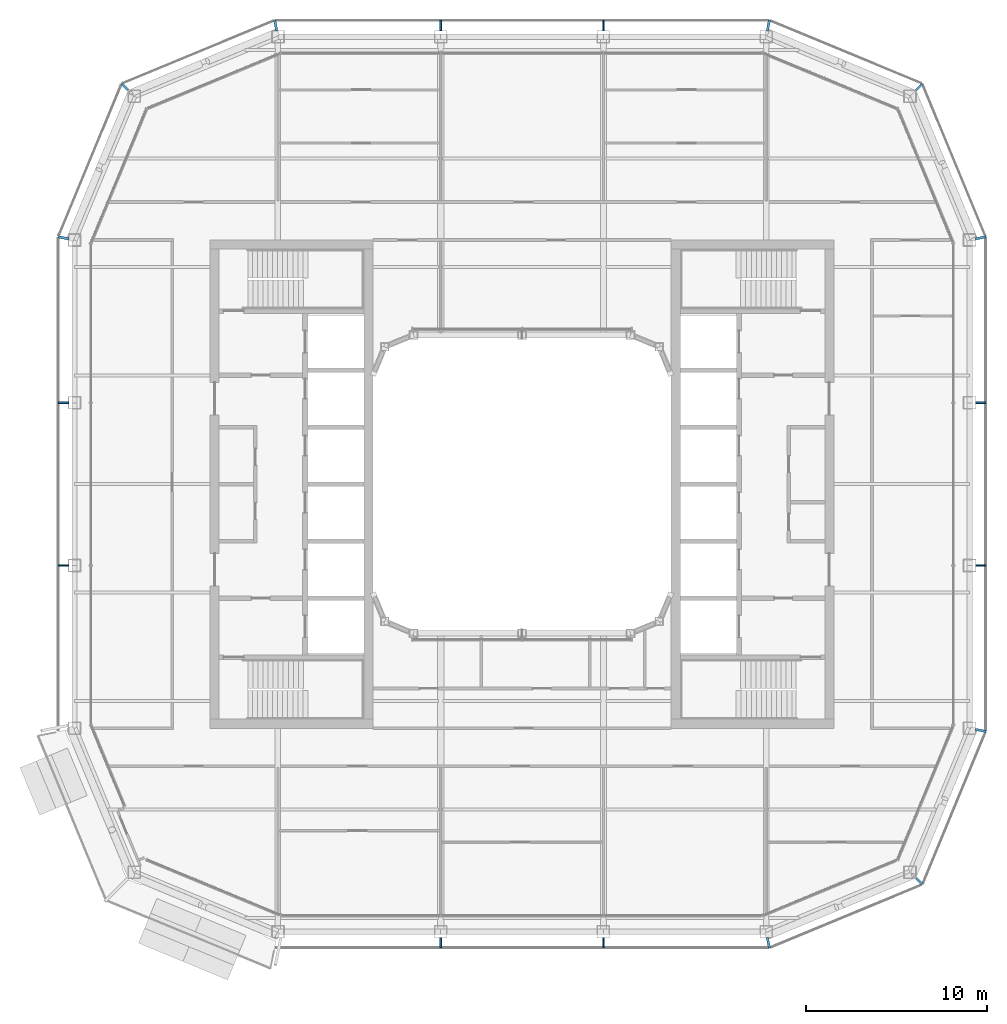
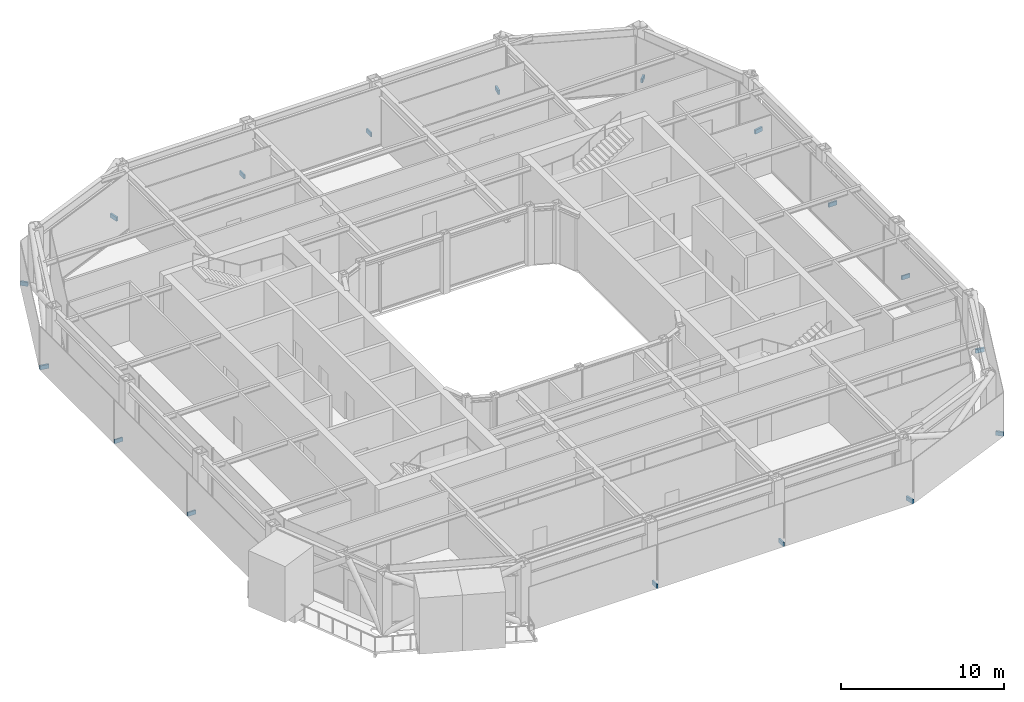
# One storey, part 16 of 21: 17 discrete accessories.
"""IFC4 building model written with IfcOpenShell, lengths in metres."""

import ifcopenshell
import ifcopenshell.guid

model = None  # the IFC model being written
_history = None  # IfcOwnerHistory: only IFC2X3 demands one
_inside = {}  # id of a spatial element -> (the spatial element, [elements in it])
_under = {}  # id of a project, library or spatial element -> (it, [spatial elements below it])
_declared = {}  # id of a project -> (the project, [libraries it declares])
_typed = {}  # id of a type object -> (the type object, [elements of that type])
_made_of = {}  # id of a material, layer set ... -> (it, [elements and type objects made of it])


def new_model(schema):
    """Start an empty IFC model of exactly this schema.

    Asked for "IFC4X3", IfcOpenShell would pick the latest addendum, in which some entities
    have other attributes; the version numbers below select the first issue.
    IFC2X3 requires an IfcOwnerHistory on every rooted entity: one is made here for all.
    """
    global model, _history
    if schema == "IFC4X3":
        model = ifcopenshell.file(schema_version=(4, 3, 0, 0))
    else:
        model = ifcopenshell.file(schema=schema)
    _inside.clear()
    _under.clear()
    _declared.clear()
    _typed.clear()
    _made_of.clear()
    _history = None
    if model.schema == "IFC2X3":
        org = make("IfcOrganization", Name="unknown")
        user = make(
            "IfcPersonAndOrganization",
            ThePerson=make("IfcPerson", FamilyName="unknown"),
            TheOrganization=org,
        )
        app = make(
            "IfcApplication",
            ApplicationDeveloper=org,
            Version="unknown",
            ApplicationFullName="unknown",
            ApplicationIdentifier="unknown",
        )
        _history = make(
            "IfcOwnerHistory",
            OwningUser=user,
            OwningApplication=app,
            ChangeAction="ADDED",
            CreationDate=0,
        )
    return model


def make(cls, **values):
    """One entity of the class cls with the attributes given. An attribute that is None is left unset."""
    return model.create_entity(
        cls, **{name: value for name, value in values.items() if value is not None}
    )


def rooted(cls, **values):
    """An entity with a GlobalId (a new one), such as an element, a storey or a relation."""
    return make(cls, GlobalId=ifcopenshell.guid.new(), OwnerHistory=_history, **values)


def si_unit(unit_type, name, prefix=None):
    """IfcSIUnit, for example si_unit("LENGTHUNIT", "METRE", prefix="MILLI")."""
    return make("IfcSIUnit", UnitType=unit_type, Prefix=prefix, Name=name)


def assignment(units):
    """IfcUnitAssignment: the units of a project."""
    return None if units is None else make("IfcUnitAssignment", Units=units)


def point(xyz):
    """IfcCartesianPoint."""
    return None if xyz is None else make("IfcCartesianPoint", Coordinates=xyz)


def direction(xyz):
    """IfcDirection."""
    return None if xyz is None else make("IfcDirection", DirectionRatios=xyz)


def frame(location, z_axis=None, x_axis=None):
    """IfcAxis2Placement3D, a coordinate frame: its origin and axes. An axis left out is left unset."""
    return make(
        "IfcAxis2Placement3D",
        Location=point(location),
        Axis=direction(z_axis),
        RefDirection=direction(x_axis),
    )


def frame_2d(location, x_axis=None):
    """IfcAxis2Placement2D, a coordinate frame in the plane: its origin and x axis."""
    return make(
        "IfcAxis2Placement2D", Location=point(location), RefDirection=direction(x_axis)
    )


def origin():
    """The frame at (0, 0, 0) with its axes left unset."""
    return frame((0.0, 0.0, 0.0))


def origin_2d():
    """The frame at (0, 0) in the plane with its x axis left unset."""
    return frame_2d((0.0, 0.0))


def place(relative_to, where):
    """IfcLocalPlacement: puts the frame where relative to a parent placement (None: the world)."""
    return make(
        "IfcLocalPlacement", PlacementRelTo=relative_to, RelativePlacement=where
    )


def context(
    kind, dimensions, precision=None, world=None, true_north=None, identifier=None
):
    """IfcGeometricRepresentationContext, for example the 3D "Model" context."""
    return make(
        "IfcGeometricRepresentationContext",
        ContextIdentifier=identifier,
        ContextType=kind,
        CoordinateSpaceDimension=dimensions,
        Precision=precision,
        WorldCoordinateSystem=world,
        TrueNorth=true_north,
    )


def subcontext(parent, identifier, kind, view, scale=None):
    """IfcGeometricRepresentationSubContext, for example "Body" below "Model"."""
    return make(
        "IfcGeometricRepresentationSubContext",
        ContextIdentifier=identifier,
        ContextType=kind,
        ParentContext=parent,
        TargetScale=scale,
        TargetView=view,
    )


def project(units=None, contexts=None):
    """IfcProject with its units and contexts."""
    return rooted(
        "IfcProject",
        Name="project",
        RepresentationContexts=contexts,
        UnitsInContext=assignment(units),
    )


def spatial(cls, under=None, at=None, **own):
    """A site, building, storey or space (cls), placed at a placement, below another one or the project."""
    s = rooted(cls, ObjectPlacement=at, **own)
    if under is not None:
        _under.setdefault(under.id(), (under, []))[1].append(s)
    return s


def profile(cls, at=None, kind="AREA", **sizes):
    """A parametric profile (cls). Its sizes go by their IFC names, for example OverallWidth=200.0."""
    return make(cls, ProfileType=kind, Position=at, **sizes)


def rectangle(**sizes):
    """IfcRectangleProfileDef."""
    return profile("IfcRectangleProfileDef", **sizes)


def extrude(swept, where, along, depth):
    """IfcExtrudedAreaSolid: the profile swept, set in the frame where, extruded along a direction by depth."""
    return make(
        "IfcExtrudedAreaSolid",
        SweptArea=swept,
        Position=where,
        ExtrudedDirection=direction(along),
        Depth=depth,
    )


def shape(context_of_items, identifier, shape_type, items):
    """IfcShapeRepresentation: the items that make up one representation, for example the "Body"."""
    return make(
        "IfcShapeRepresentation",
        ContextOfItems=context_of_items,
        RepresentationIdentifier=identifier,
        RepresentationType=shape_type,
        Items=items,
    )


def material(Name=None, Category=None):
    """IfcMaterial."""
    return make("IfcMaterial", Name=Name, Category=Category)


def made_of(thing, what):
    """Note that an element or type object is made of a material, layer set ...; save() writes the relation."""
    if what is not None:
        _made_of.setdefault(what.id(), (what, []))[1].append(thing)
    return thing


def type_object(cls, material=None, **own):
    """A type object (cls), such as IfcWallType, which elements share."""
    return made_of(rooted(cls, **own), material)


def element(
    cls,
    number,
    at=None,
    inside=None,
    cuts=None,
    type_object=None,
    material=None,
    context=None,
    identifier="Body",
    shape_type=None,
    held_by="IfcProductDefinitionShape",
    body=None,
    shapes=None,
    **own,
):
    """One element of the class cls, such as IfcWall. Its Tag is "e" and its number.

    at: its placement. inside: the storey or other place that contains it. cuts: it is an
    opening in that element (IfcRelVoidsElement). A single representation is given by context,
    identifier, shape_type and body (its items); several are given by shapes. held_by: the class
    of the entity that holds the representations. save() writes the other relations.
    """
    e = rooted(cls, Tag="e%d" % number, ObjectPlacement=at, **own)
    if body is not None:
        shapes = [shape(context, identifier, shape_type, body)]
    if shapes is not None:
        e.Representation = make(held_by, Representations=shapes)
    if inside is not None:
        _inside.setdefault(inside.id(), (inside, []))[1].append(e)
    if cuts is not None:
        rooted(
            "IfcRelVoidsElement", RelatingBuildingElement=cuts, RelatedOpeningElement=e
        )
    if type_object is not None:
        _typed.setdefault(type_object.id(), (type_object, []))[1].append(e)
    return made_of(e, material)


def aggregate(whole, parts):
    """IfcRelAggregates: a whole, such as a stair, and the parts it consists of."""
    return rooted("IfcRelAggregates", RelatingObject=whole, RelatedObjects=parts)


def save(model, path):
    """Write the relations noted so far, then the file.

    IfcRelAggregates (storeys below a building ...), IfcRelContainedInSpatialStructure (elements
    in a storey), IfcRelDefinesByType, IfcRelAssociatesMaterial and IfcRelDeclares: one each for
    every whole, place, type object, material and project.
    """
    for whole, parts in _under.values():
        aggregate(whole, parts)
    for where, things in _inside.values():
        rooted(
            "IfcRelContainedInSpatialStructure",
            RelatedElements=things,
            RelatingStructure=where,
        )
    for kind, things in _typed.values():
        rooted("IfcRelDefinesByType", RelatedObjects=things, RelatingType=kind)
    for what, things in _made_of.values():
        rooted("IfcRelAssociatesMaterial", RelatedObjects=things, RelatingMaterial=what)
    for by, libraries in _declared.values():
        rooted("IfcRelDeclares", RelatingContext=by, RelatedDefinitions=libraries)
    model.write(path)


model = new_model("IFC4")

# Units and contexts
model_context = context("Model", 3, precision=1e-05, world=origin(), true_north=direction((0.0, 1.0)))
body_context = subcontext(model_context, "Body", "Model", "MODEL_VIEW")
ifc_project = project(units=[si_unit("LENGTHUNIT", "METRE"), si_unit("AREAUNIT", "SQUARE_METRE"), si_unit("VOLUMEUNIT", "CUBIC_METRE"), si_unit("PLANEANGLEUNIT", "RADIAN"), si_unit("MASSUNIT", "GRAM", prefix="KILO")], contexts=[model_context])

# Site, building, storey
site_placement = place(None, origin())
site = spatial("IfcSite", under=ifc_project, at=site_placement, CompositionType="ELEMENT")
building_placement = place(site_placement, origin())
building = spatial("IfcBuilding", under=site, at=building_placement, Name="Siwar Civic Tower", CompositionType="ELEMENT")
storey_placement = place(building_placement, frame((0.0, 0.0, 334.699951171875)))
storey = spatial("IfcBuildingStorey", under=building, at=storey_placement, Name="L72", CompositionType="ELEMENT", Elevation=334.699951171875)

# Discrete accessories
ifc_material = material(Name="Stainless steel 316", Category="steel")
discrete_accessory_type = type_object("IfcDiscreteAccessoryType", Name="ENV-BRACKET", PredefinedType="BRACKET", material=ifc_material)
for number, where, z_axis, x_axis, name in (
    (1, (25.364990234375, -4.5, -0.14990234375), (0.0, 0.0, 1.0), (1.0, 0.0, 0.0), "Bracket outer skin joint E-01"),
    (2, (25.364990234375, 4.5, -0.14990234375), (0.0, 0.0, 1.0), (1.0, 0.0, 0.0), "Bracket outer skin joint E-02"),
    (3, (4.5, 25.364990234375, -0.14990234375), (0.0, 0.0, 1.0), (0.0, 1.0, 0.0), "Bracket outer skin joint N-01"),
    (4, (-4.5, 25.364990234375, -0.14990234375), (0.0, 0.0, 1.0), (0.0, 1.0, 0.0), "Bracket outer skin joint N-02"),
    (5, (-4.5, -25.364990234375, -0.14990234375), (0.0, 0.0, 1.0), (0.0, -1.0, 0.0), "Bracket outer skin joint S-01"),
    (6, (4.5, -25.364990234375, -0.14990234375), (0.0, 0.0, 1.0), (0.0, -1.0, 0.0), "Bracket outer skin joint S-02"),
):
    element("IfcDiscreteAccessory", number, at=place(storey_placement, frame(where, z_axis=z_axis, x_axis=x_axis)), inside=storey, type_object=discrete_accessory_type, Name=name, PredefinedType="BRACKET", context=body_context, shape_type="SweptSolid", body=[
        extrude(rectangle(XDim=0.570068359375, YDim=0.10009765625, at=origin_2d()), origin(), (0.0, 0.0, 1.0), 0.300048828125),
    ])
discrete_accessory_1_placement = place(storey_placement, frame((13.622314453125, -25.365234375, -0.14990234375), z_axis=(0.0, 0.0, 1.0), x_axis=(0.195090322016, -0.980785280403, 0.0)))
element("IfcDiscreteAccessory", 7, at=discrete_accessory_1_placement, inside=storey, type_object=discrete_accessory_type, Name="Bracket outer skin joint V01", PredefinedType="BRACKET", context=body_context, shape_type="SweptSolid", body=[
    extrude(rectangle(XDim=0.580810546875, YDim=0.13720703125, at=origin_2d()), origin(), (0.0, 0.0, 1.0), 0.300048828125),
])
discrete_accessory_2_placement = place(storey_placement, frame((21.96728515625, -21.96728515625, -0.14990234375), z_axis=(0.0, 0.0, 1.0), x_axis=(0.707106781187, -0.707106781187, 0.0)))
element("IfcDiscreteAccessory", 8, at=discrete_accessory_2_placement, inside=storey, type_object=discrete_accessory_type, Name="Bracket outer skin joint V02", PredefinedType="BRACKET", context=body_context, shape_type="SweptSolid", body=[
    extrude(rectangle(XDim=0.499267578125, YDim=0.12939453125, at=origin_2d()), origin(), (0.0, 0.0, 1.0), 0.300048828125),
])
for number, where, z_axis, x_axis, name in (
    (9, (25.365234375, -13.622314453125, -0.14990234375), (0.0, 0.0, 1.0), (0.980785280403, -0.195090322016, 0.0), "Bracket outer skin joint V03"),
    (10, (25.365234375, 13.622314453125, -0.14990234375), (0.0, 0.0, 1.0), (0.980785280403, 0.195090322016, 0.0), "Bracket outer skin joint V04"),
):
    element("IfcDiscreteAccessory", number, at=place(storey_placement, frame(where, z_axis=z_axis, x_axis=x_axis)), inside=storey, type_object=discrete_accessory_type, Name=name, PredefinedType="BRACKET", context=body_context, shape_type="SweptSolid", body=[
        extrude(rectangle(XDim=0.580810546875, YDim=0.13720703125, at=origin_2d()), origin(), (0.0, 0.0, 1.0), 0.300048828125),
    ])
discrete_accessory_3_placement = place(storey_placement, frame((21.96728515625, 21.96728515625, -0.14990234375), z_axis=(0.0, 0.0, 1.0), x_axis=(0.707106781187, 0.707106781187, 0.0)))
element("IfcDiscreteAccessory", 11, at=discrete_accessory_3_placement, inside=storey, type_object=discrete_accessory_type, Name="Bracket outer skin joint V05", PredefinedType="BRACKET", context=body_context, shape_type="SweptSolid", body=[
    extrude(rectangle(XDim=0.499267578125, YDim=0.12939453125, at=origin_2d()), origin(), (0.0, 0.0, 1.0), 0.300048828125),
])
for number, where, z_axis, x_axis, name in (
    (12, (13.622314453125, 25.365234375, -0.14990234375), (0.0, 0.0, 1.0), (0.195090322016, 0.980785280403, 0.0), "Bracket outer skin joint V06"),
    (13, (-13.622314453125, 25.365234375, -0.14990234375), (0.0, 0.0, 1.0), (-0.195090322016, 0.980785280403, 0.0), "Bracket outer skin joint V07"),
):
    element("IfcDiscreteAccessory", number, at=place(storey_placement, frame(where, z_axis=z_axis, x_axis=x_axis)), inside=storey, type_object=discrete_accessory_type, Name=name, PredefinedType="BRACKET", context=body_context, shape_type="SweptSolid", body=[
        extrude(rectangle(XDim=0.580810546875, YDim=0.13720703125, at=origin_2d()), origin(), (0.0, 0.0, 1.0), 0.300048828125),
    ])
discrete_accessory_4_placement = place(storey_placement, frame((-21.96728515625, 21.96728515625, -0.14990234375), z_axis=(0.0, 0.0, 1.0), x_axis=(-0.707106781187, 0.707106781187, 0.0)))
element("IfcDiscreteAccessory", 14, at=discrete_accessory_4_placement, inside=storey, type_object=discrete_accessory_type, Name="Bracket outer skin joint V08", PredefinedType="BRACKET", context=body_context, shape_type="SweptSolid", body=[
    extrude(rectangle(XDim=0.499267578125, YDim=0.12939453125, at=origin_2d()), origin(), (0.0, 0.0, 1.0), 0.300048828125),
])
discrete_accessory_5_placement = place(storey_placement, frame((-25.365234375, 13.622314453125, -0.14990234375), z_axis=(0.0, 0.0, 1.0), x_axis=(-0.980785280403, 0.195090322016, 0.0)))
element("IfcDiscreteAccessory", 15, at=discrete_accessory_5_placement, inside=storey, type_object=discrete_accessory_type, Name="Bracket outer skin joint V09", PredefinedType="BRACKET", context=body_context, shape_type="SweptSolid", body=[
    extrude(rectangle(XDim=0.580810546875, YDim=0.13720703125, at=origin_2d()), origin(), (0.0, 0.0, 1.0), 0.300048828125),
])
for number, where, z_axis, x_axis, name in (
    (16, (-25.364990234375, 4.5, -0.14990234375), (0.0, 0.0, 1.0), (-1.0, 0.0, 0.0), "Bracket outer skin joint W-01"),
    (17, (-25.364990234375, -4.5, -0.14990234375), (0.0, 0.0, 1.0), (-1.0, 0.0, 0.0), "Bracket outer skin joint W-02"),
):
    element("IfcDiscreteAccessory", number, at=place(storey_placement, frame(where, z_axis=z_axis, x_axis=x_axis)), inside=storey, type_object=discrete_accessory_type, Name=name, PredefinedType="BRACKET", context=body_context, shape_type="SweptSolid", body=[
        extrude(rectangle(XDim=0.570068359375, YDim=0.10009765625, at=origin_2d()), origin(), (0.0, 0.0, 1.0), 0.300048828125),
    ])

save(model, "model.ifc")
